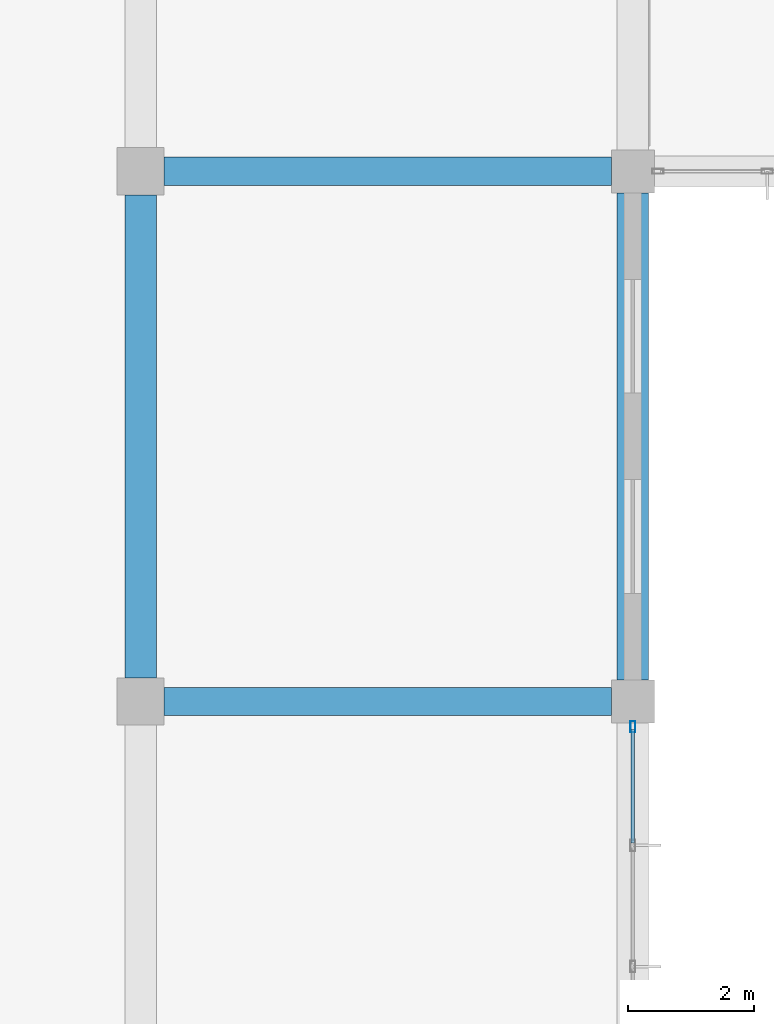
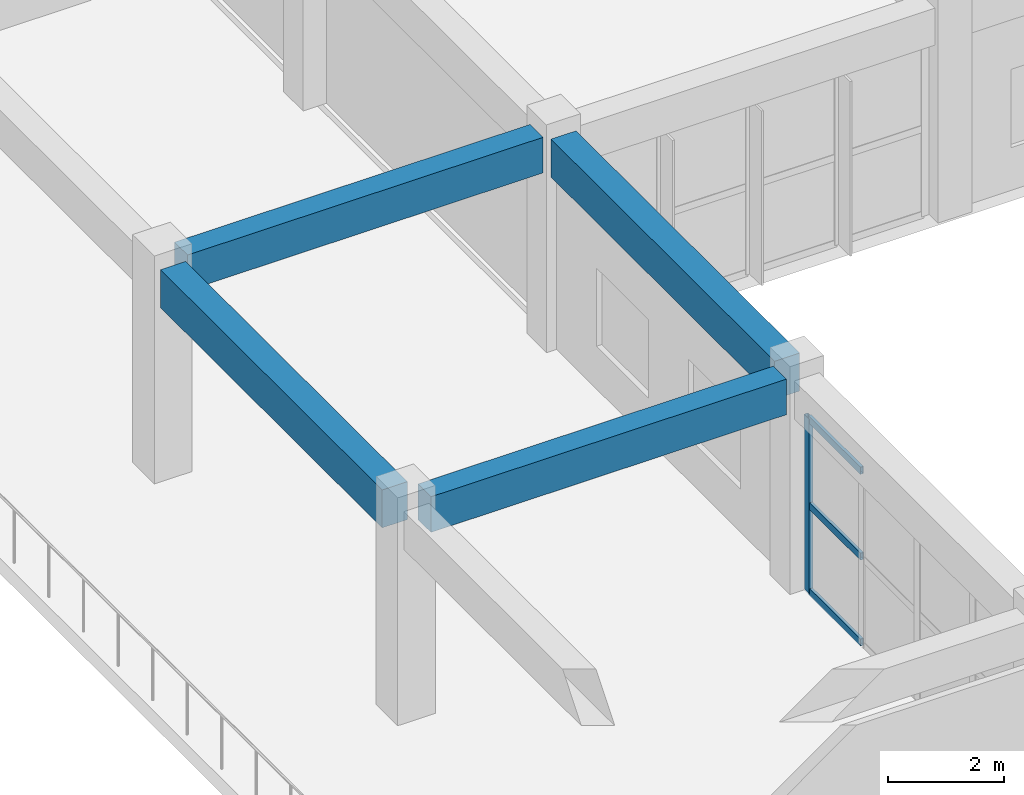
# One storey, part 89 of 175: 4 beams, 4 members, 1 element without a shape of its own.
"""IFC4 building model written with IfcOpenShell, lengths in metres."""

from ifc_helpers import new_model, si_unit, direction, frame, origin, origin_2d, place, context, subcontext, project, spatial, rectangle, hollow_rectangle, extrude, material, layer, layer_set, material_profile, profile_set, type_object, element, aggregate, save


model = new_model("IFC4")

# Units and contexts
model_context = context("Model", 3, precision=1e-05, world=origin(), true_north=direction((0.0, 1.0)))
body_context = subcontext(model_context, "Body", "Model", "MODEL_VIEW")
ifc_project = project(units=[si_unit("LENGTHUNIT", "METRE"), si_unit("AREAUNIT", "SQUARE_METRE"), si_unit("VOLUMEUNIT", "CUBIC_METRE"), si_unit("PLANEANGLEUNIT", "RADIAN"), si_unit("MASSUNIT", "GRAM", prefix="KILO")], contexts=[model_context])

# Site, building, storey
site_placement = place(None, origin())
site = spatial("IfcSite", under=ifc_project, at=site_placement, CompositionType="ELEMENT")
building_placement = place(site_placement, origin())
building = spatial("IfcBuilding", under=site, at=building_placement, Name="Zizhar Promenade General Hospital", CompositionType="ELEMENT")
storey_placement = place(building_placement, frame((0.0, 0.0, 4.800048828125)))
storey = spatial("IfcBuildingStorey", under=building, at=storey_placement, Name="L01", CompositionType="ELEMENT", Elevation=4.800048828125)

# Beams
ifc_material_1 = material(Name="Concrete C35/45", Category="concrete")
ifc_material_profile_1 = material_profile(ifc_material_1, rectangle(XDim=0.449951171875, YDim=0.75, at=origin_2d()))
ifc_profile_set_1 = profile_set([ifc_material_profile_1], Name="Concrete C35/45")
beam_type_1 = type_object("IfcBeamType", Name="BM-RC-450x750", PredefinedType="BEAM", material=ifc_profile_set_1)
for number, where, z_axis, x_axis, name in (
    (1, (125.175048828125, 33.60009765625, 4.094970703125), (1.0, 0.0, 0.0), (0.0, 1.0, 0.0), "Grid Beam X L01 (16-4)"),
    (2, (125.175048828125, 42.0, 4.094970703125), (1.0, 0.0, 0.0), (0.0, 1.0, 0.0), "Grid Beam X L01 (16-5)"),
):
    element("IfcBeam", number, at=place(storey_placement, frame(where, z_axis=z_axis, x_axis=x_axis)), inside=storey, type_object=beam_type_1, Name=name, PredefinedType="BEAM", context=body_context, shape_type="SweptSolid", body=[
        extrude(rectangle(XDim=0.449951171875, YDim=0.75, at=origin_2d()), origin(), (0.0, 0.0, 1.0), 7.0849609375),
    ])
ifc_material_2 = material(Name="Concrete C35/45", Category="concrete")
ifc_material_profile_2 = material_profile(ifc_material_2, rectangle(XDim=0.5, YDim=0.800048828125, at=origin_2d()))
ifc_profile_set_2 = profile_set([ifc_material_profile_2], Name="Concrete C35/45")
beam_type_2 = type_object("IfcBeamType", Name="BM-RC-500x800", PredefinedType="BEAM", material=ifc_profile_set_2)
beam_1_placement = place(storey_placement, frame((124.800048828125, 33.97509765625, 4.070068359375), z_axis=(0.0, 1.0, 0.0), x_axis=(-1.0, 0.0, 0.0)))
element("IfcBeam", 3, at=beam_1_placement, inside=storey, type_object=beam_type_2, Name="Grid Beam Y L01 (16-4)", PredefinedType="BEAM", context=body_context, shape_type="SweptSolid", body=[
    extrude(rectangle(XDim=0.5, YDim=0.800048828125, at=origin_2d()), origin(), (0.0, 0.0, 1.0), 7.64990234375),
])
beam_2_placement = place(storey_placement, frame((132.60009765625, 33.93994140625, 4.070068359375), z_axis=(0.0, 1.0, 0.0), x_axis=(-1.0, 0.0, 0.0)))
element("IfcBeam", 4, at=beam_2_placement, inside=storey, type_object=beam_type_2, Name="Grid Beam Y L01 (17-4)", PredefinedType="BEAM", context=body_context, shape_type="SweptSolid", body=[
    extrude(rectangle(XDim=0.5, YDim=0.800048828125, at=origin_2d()), origin(), (0.0, 0.0, 1.0), 7.719970703125),
])

# Curtain wall, members
ifc_material_3 = material(Name="Anodised aluminium 6063-T6 and low-E glass", Category="aluminium")
ifc_layer = layer(ifc_material_3, 0.159912109375)
ifc_layer_set = layer_set([ifc_layer], Name="Anodised aluminium 6063-T6 and low-E glass")
curtain_wall_type = type_object("IfcCurtainWallType", Name="CW-HALL-S", PredefinedType="NOTDEFINED", material=ifc_layer_set)
curtain_wall_placement = place(storey_placement, origin())
curtain_wall = element("IfcCurtainWall", 5, at=curtain_wall_placement, inside=storey, type_object=curtain_wall_type, Name="Forecourt Arrival Glazed Curtain Wall L01-3", PredefinedType="NOTDEFINED")
ifc_material_4 = material(Name="Anodised aluminium 6063-T6", Category="aluminium")
ifc_material_profile_3 = material_profile(ifc_material_4, hollow_rectangle(XDim=0.080078125, YDim=0.179931640625, WallThickness=0.0048828125, at=origin_2d()))
ifc_profile_set_3 = profile_set([ifc_material_profile_3], Name="Anodised aluminium 6063-T6")
member_type_1 = type_object("IfcMemberType", Name="CWM-ALU-180x80", PredefinedType="MULLION", material=ifc_profile_set_3)
member_1_placement = place(storey_placement, frame((132.60009765625, 33.199951171875, 0.0), z_axis=(0.0, 0.0, 1.0), x_axis=(1.0, 0.0, 0.0)))
member_1 = element("IfcMember", 6, at=member_1_placement, type_object=member_type_1, Name="CW-01 mullion 1", PredefinedType="MULLION", context=body_context, shape_type="SweptSolid", body=[
    extrude(hollow_rectangle(XDim=0.080078125, YDim=0.179931640625, WallThickness=0.0048828125, at=origin_2d()), origin(), (0.0, 0.0, 1.0), 3.679931640625),
])
ifc_material_5 = material(Name="Anodised aluminium 6063-T6", Category="aluminium")
ifc_material_profile_4 = material_profile(ifc_material_5, hollow_rectangle(XDim=0.06005859375, YDim=0.14990234375, WallThickness=0.00390625, at=origin_2d()))
ifc_profile_set_4 = profile_set([ifc_material_profile_4], Name="Anodised aluminium 6063-T6")
member_type_2 = type_object("IfcMemberType", Name="CWT-ALU-150x60", PredefinedType="USERDEFINED", material=ifc_profile_set_4)
member_2_placement = place(storey_placement, frame((132.60009765625, 33.159912109375, 0.030029296875), z_axis=(0.0, -1.0, 0.0), x_axis=(1.0, 0.0, 0.0)))
member_2 = element("IfcMember", 7, at=member_2_placement, type_object=member_type_2, Name="CW-01 transom 1.1", ObjectType="TRANSOM", PredefinedType="USERDEFINED", context=body_context, shape_type="SweptSolid", body=[
    extrude(hollow_rectangle(XDim=0.06005859375, YDim=0.14990234375, WallThickness=0.00390625, at=origin_2d()), origin(), (0.0, 0.0, 1.0), 1.7998046875),
])
member_3_placement = place(storey_placement, frame((132.60009765625, 33.159912109375, 1.83984375), z_axis=(0.0, -1.0, 0.0), x_axis=(1.0, 0.0, 0.0)))
member_3 = element("IfcMember", 8, at=member_3_placement, type_object=member_type_2, Name="CW-01 transom 1.2", ObjectType="TRANSOM", PredefinedType="USERDEFINED", context=body_context, shape_type="SweptSolid", body=[
    extrude(hollow_rectangle(XDim=0.06005859375, YDim=0.14990234375, WallThickness=0.00390625, at=origin_2d()), origin(), (0.0, 0.0, 1.0), 1.7998046875),
])
member_4_placement = place(storey_placement, frame((132.60009765625, 33.159912109375, 3.64990234375), z_axis=(0.0, -1.0, 0.0), x_axis=(1.0, 0.0, 0.0)))
member_4 = element("IfcMember", 9, at=member_4_placement, type_object=member_type_2, Name="CW-01 transom 1.3", ObjectType="TRANSOM", PredefinedType="USERDEFINED", context=body_context, shape_type="SweptSolid", body=[
    extrude(hollow_rectangle(XDim=0.06005859375, YDim=0.14990234375, WallThickness=0.00390625, at=origin_2d()), origin(), (0.0, 0.0, 1.0), 1.7998046875),
])
aggregate(curtain_wall, [member_1, member_2, member_3, member_4])

save(model, "model.ifc")
